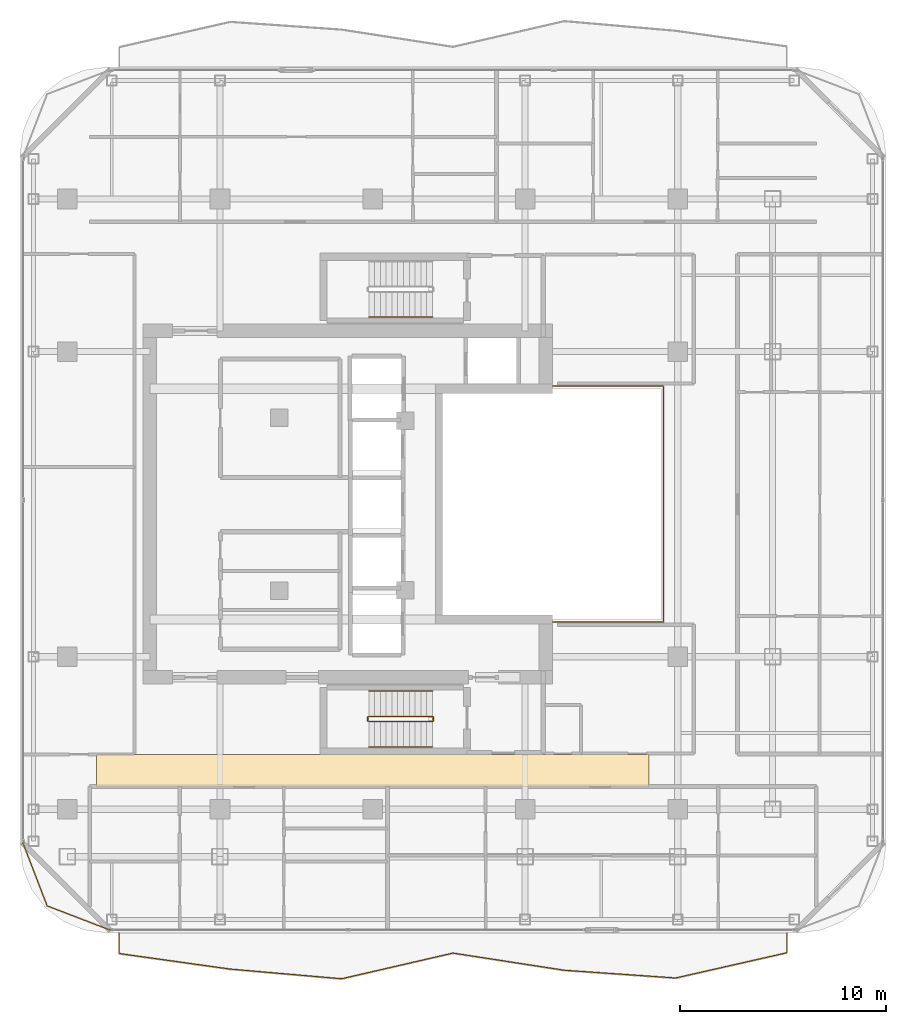
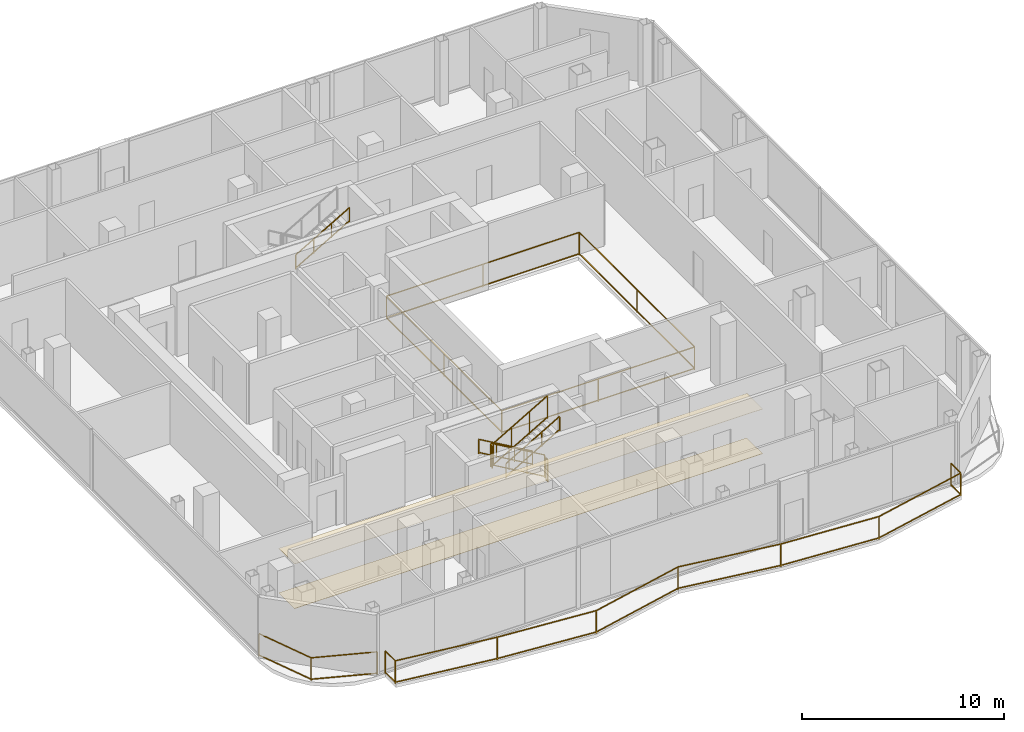
# One storey, part 20 of 22: 10 railings, 2 coverings.
"""IFC4 building model written with IfcOpenShell, lengths in metres."""

from ifc_helpers import new_model, si_unit, direction, frame, origin, origin_2d, place, context, subcontext, project, spatial, polyline, rectangle, outline, extrude, material, layer, layer_set, type_object, element, save


model = new_model("IFC4")

# Units and contexts
model_context = context("Model", 3, precision=1e-05, world=origin(), true_north=direction((0.0, 1.0)))
body_context = subcontext(model_context, "Body", "Model", "MODEL_VIEW")
ifc_project = project(units=[si_unit("LENGTHUNIT", "METRE"), si_unit("AREAUNIT", "SQUARE_METRE"), si_unit("VOLUMEUNIT", "CUBIC_METRE"), si_unit("PLANEANGLEUNIT", "RADIAN"), si_unit("MASSUNIT", "GRAM", prefix="KILO")], contexts=[model_context])

# Site, building, storey
site_placement = place(None, origin())
site = spatial("IfcSite", under=ifc_project, at=site_placement, CompositionType="ELEMENT")
building_placement = place(site_placement, origin())
building = spatial("IfcBuilding", under=site, at=building_placement, Name="Khorvyn Point Tower", CompositionType="ELEMENT")
storey_placement = place(building_placement, frame((0.0, 0.0, 278.10009765625)))
storey = spatial("IfcBuildingStorey", under=building, at=storey_placement, Name="L68", CompositionType="ELEMENT", Elevation=278.10009765625)

# Railings
ifc_material_1 = material(Name="Stainless steel 1.4401 and laminated glass", Category="steel")
railing_type_1 = type_object("IfcRailingType", Name="Crystal Atrium Smoke-Rated Perimeter Guardrail 1400", PredefinedType="GUARDRAIL", material=ifc_material_1)
railing_1_placement = place(storey_placement, frame((3.080078125, -5.719970703125, 0.0)))
element("IfcRailing", 1, at=railing_1_placement, inside=storey, type_object=railing_type_1, Name="L68 Crystal Atrium Perimeter Guardrail", PredefinedType="GUARDRAIL", context=body_context, shape_type="SweptSolid", body=[
    extrude(rectangle(XDim=0.048095703125, YDim=0.048095703125, at=origin_2d()), frame((0.0, 0.0, 1.3759765625), z_axis=(1.0, 0.0, 0.0), x_axis=(0.0, 1.0, 0.0)), (0.0, 0.0, 1.0), 11.0400390625),
    extrude(rectangle(XDim=0.048095703125, YDim=0.048095703125, at=origin_2d()), frame((0.0, 0.0, 0.080078125), z_axis=(1.0, 0.0, 0.0), x_axis=(0.0, 1.0, 0.0)), (0.0, 0.0, 1.0), 11.0400390625),
    extrude(rectangle(XDim=0.048095703125, YDim=0.048095703125, at=origin_2d()), frame((11.0400390625, 0.0, 1.3759765625), z_axis=(0.0, 1.0, 0.0), x_axis=(-1.0, 0.0, 0.0)), (0.0, 0.0, 1.0), 11.43994140625),
    extrude(rectangle(XDim=0.048095703125, YDim=0.048095703125, at=origin_2d()), frame((11.0400390625, 0.0, 0.080078125), z_axis=(0.0, 1.0, 0.0), x_axis=(-1.0, 0.0, 0.0)), (0.0, 0.0, 1.0), 11.43994140625),
    extrude(rectangle(XDim=0.048095703125, YDim=0.048095703125, at=origin_2d()), frame((11.0400390625, 11.43994140625, 1.3759765625), z_axis=(-1.0, 0.0, 0.0), x_axis=(0.0, -1.0, 0.0)), (0.0, 0.0, 1.0), 11.0400390625),
    extrude(rectangle(XDim=0.048095703125, YDim=0.048095703125, at=origin_2d()), frame((11.0400390625, 11.43994140625, 0.080078125), z_axis=(-1.0, 0.0, 0.0), x_axis=(0.0, -1.0, 0.0)), (0.0, 0.0, 1.0), 11.0400390625),
    extrude(rectangle(XDim=0.048095703125, YDim=0.048095703125, at=origin_2d()), frame((0.0, 11.43994140625, 1.3759765625), z_axis=(0.0, -1.0, 0.0), x_axis=(1.0, 0.0, 0.0)), (0.0, 0.0, 1.0), 11.409912109375),
    extrude(rectangle(XDim=0.048095703125, YDim=0.048095703125, at=origin_2d()), frame((0.0, 11.43994140625, 0.080078125), z_axis=(0.0, -1.0, 0.0), x_axis=(1.0, 0.0, 0.0)), (0.0, 0.0, 1.0), 11.409912109375),
    extrude(rectangle(XDim=0.0419921875, YDim=0.0419921875, at=origin_2d()), origin(), (0.0, 0.0, 1.0), 1.351806640625),
    extrude(rectangle(XDim=0.0419921875, YDim=0.0419921875, at=origin_2d()), frame((5.52001953125, 0.0, 0.0)), (0.0, 0.0, 1.0), 1.351806640625),
    extrude(rectangle(XDim=0.0419921875, YDim=0.0419921875, at=origin_2d()), frame((11.0400390625, 0.0, 0.0)), (0.0, 0.0, 1.0), 1.351806640625),
    extrude(rectangle(XDim=0.0419921875, YDim=0.0419921875, at=origin_2d()), frame((11.0400390625, 5.719970703125, 0.0)), (0.0, 0.0, 1.0), 1.351806640625),
    extrude(rectangle(XDim=0.0419921875, YDim=0.0419921875, at=origin_2d()), frame((11.0400390625, 11.43994140625, 0.0)), (0.0, 0.0, 1.0), 1.351806640625),
    extrude(rectangle(XDim=0.0419921875, YDim=0.0419921875, at=origin_2d()), frame((5.52001953125, 11.43994140625, 0.0)), (0.0, 0.0, 1.0), 1.351806640625),
    extrude(rectangle(XDim=0.0419921875, YDim=0.0419921875, at=origin_2d()), frame((0.0, 11.43994140625, 0.0)), (0.0, 0.0, 1.0), 1.351806640625),
    extrude(rectangle(XDim=0.0419921875, YDim=0.0419921875, at=origin_2d()), frame((0.0, 5.73486328125, 0.0)), (0.0, 0.0, 1.0), 1.351806640625),
    extrude(rectangle(XDim=0.0419921875, YDim=0.0419921875, at=origin_2d()), frame((0.0, 0.030029296875, 0.0)), (0.0, 0.0, 1.0), 1.351806640625),
])
ifc_material_2 = material(Name="Anodised aluminium 6063-T6 and laminated safety glass", Category="aluminium")
railing_type_2 = type_object("IfcRailingType", Name="Laminated Glass and Aluminium Balcony Guardrail 1400", PredefinedType="BALUSTRADE", material=ifc_material_2)
railing_2_placement = place(storey_placement, frame((-16.974365234375, -16.386474609375, 0.0)))
element("IfcRailing", 2, at=railing_2_placement, inside=storey, type_object=railing_type_2, Name="L68 Rounded Corner Edge Guardrail SW", PredefinedType="BALUSTRADE", context=body_context, shape_type="SweptSolid", body=[
    extrude(rectangle(XDim=0.048095703125, YDim=0.048095703125, at=origin_2d()), frame((0.0, 0.0, 1.3759765625), z_axis=(0.358367799998, -0.933580483903, 0.0), x_axis=(0.933580483903, 0.358367799998, 0.0)), (0.0, 0.0, 1.0), 3.319091796875),
    extrude(rectangle(XDim=0.048095703125, YDim=0.048095703125, at=origin_2d()), frame((0.0, 0.0, 0.080078125), z_axis=(0.358367799998, -0.933580483903, 0.0), x_axis=(0.933580483903, 0.358367799998, 0.0)), (0.0, 0.0, 1.0), 3.319091796875),
    extrude(rectangle(XDim=0.048095703125, YDim=0.048095703125, at=origin_2d()), frame((1.189453125, -3.0986328125, 1.3759765625), z_axis=(0.933595647299, -0.358328295484, 0.0), x_axis=(0.358328295484, 0.933595647299, 0.0)), (0.0, 0.0, 1.0), 3.31884765625),
    extrude(rectangle(XDim=0.048095703125, YDim=0.048095703125, at=origin_2d()), frame((1.189453125, -3.0986328125, 0.080078125), z_axis=(0.933595647299, -0.358328295484, 0.0), x_axis=(0.358328295484, 0.933595647299, 0.0)), (0.0, 0.0, 1.0), 3.31884765625),
    extrude(rectangle(XDim=0.0419921875, YDim=0.0419921875, at=origin_2d()), origin(), (0.0, 0.0, 1.0), 1.351806640625),
    extrude(rectangle(XDim=0.0419921875, YDim=0.0419921875, at=origin_2d()), frame((1.189453125, -3.0986328125, 0.0)), (0.0, 0.0, 1.0), 1.351806640625),
    extrude(rectangle(XDim=0.0419921875, YDim=0.0419921875, at=origin_2d()), frame((4.287841796875, -4.287841796875, 0.0)), (0.0, 0.0, 1.0), 1.351806640625),
])
railing_3_placement = place(storey_placement, frame((-12.300048828125, -20.800048828125, 0.0)))
element("IfcRailing", 3, at=railing_3_placement, inside=storey, type_object=railing_type_2, Name="L68 South Balcony Guardrail", PredefinedType="BALUSTRADE", context=body_context, shape_type="SweptSolid", body=[
    extrude(rectangle(XDim=0.048095703125, YDim=0.048095703125, at=origin_2d()), frame((0.0, 0.0, 1.3759765625), z_axis=(0.0, -1.0, 0.0), x_axis=(1.0, 0.0, 0.0)), (0.0, 0.0, 1.0), 0.9951171875),
    extrude(rectangle(XDim=0.048095703125, YDim=0.048095703125, at=origin_2d()), frame((0.0, 0.0, 0.080078125), z_axis=(0.0, -1.0, 0.0), x_axis=(1.0, 0.0, 0.0)), (0.0, 0.0, 1.0), 0.9951171875),
    extrude(rectangle(XDim=0.048095703125, YDim=0.048095703125, at=origin_2d()), frame((0.0, -0.9951171875, 1.3759765625), z_axis=(0.990321202679, -0.138794508265, 0.0), x_axis=(0.138794508265, 0.990321202679, 0.0)), (0.0, 0.0, 1.0), 5.452880859375),
    extrude(rectangle(XDim=0.048095703125, YDim=0.048095703125, at=origin_2d()), frame((0.0, -0.9951171875, 0.080078125), z_axis=(0.990321202679, -0.138794508265, 0.0), x_axis=(0.138794508265, 0.990321202679, 0.0)), (0.0, 0.0, 1.0), 5.452880859375),
    extrude(rectangle(XDim=0.048095703125, YDim=0.048095703125, at=origin_2d()), frame((5.400146484375, -1.751953125, 1.3759765625), z_axis=(0.996249540661, -0.086526601303, 0.0), x_axis=(0.086526601303, 0.996249540661, 0.0)), (0.0, 0.0, 1.0), 5.420166015625),
    extrude(rectangle(XDim=0.048095703125, YDim=0.048095703125, at=origin_2d()), frame((5.400146484375, -1.751953125, 0.080078125), z_axis=(0.996249540661, -0.086526601303, 0.0), x_axis=(0.086526601303, 0.996249540661, 0.0)), (0.0, 0.0, 1.0), 5.420166015625),
    extrude(rectangle(XDim=0.048095703125, YDim=0.048095703125, at=origin_2d()), frame((10.800048828125, -2.220947265625, 1.3759765625), z_axis=(0.974363717185, 0.224978547051, 0.0), x_axis=(-0.224978547051, 0.974363717185, 0.0)), (0.0, 0.0, 1.0), 5.5419921875),
    extrude(rectangle(XDim=0.048095703125, YDim=0.048095703125, at=origin_2d()), frame((10.800048828125, -2.220947265625, 0.080078125), z_axis=(0.974363717185, 0.224978547051, 0.0), x_axis=(-0.224978547051, 0.974363717185, 0.0)), (0.0, 0.0, 1.0), 5.5419921875),
    extrude(rectangle(XDim=0.048095703125, YDim=0.048095703125, at=origin_2d()), frame((16.199951171875, -0.97412109375, 1.3759765625), z_axis=(0.988283721835, -0.152627930457, 0.0), x_axis=(0.152627930457, 0.988283721835, 0.0)), (0.0, 0.0, 1.0), 5.464111328125),
    extrude(rectangle(XDim=0.048095703125, YDim=0.048095703125, at=origin_2d()), frame((16.199951171875, -0.97412109375, 0.080078125), z_axis=(0.988283721835, -0.152627930457, 0.0), x_axis=(0.152627930457, 0.988283721835, 0.0)), (0.0, 0.0, 1.0), 5.464111328125),
    extrude(rectangle(XDim=0.048095703125, YDim=0.048095703125, at=origin_2d()), frame((21.60009765625, -1.80810546875, 1.3759765625), z_axis=(0.997594216174, -0.069323732266, 0.0), x_axis=(0.069323732266, 0.997594216174, 0.0)), (0.0, 0.0, 1.0), 5.412841796875),
    extrude(rectangle(XDim=0.048095703125, YDim=0.048095703125, at=origin_2d()), frame((21.60009765625, -1.80810546875, 0.080078125), z_axis=(0.997594216174, -0.069323732266, 0.0), x_axis=(0.069323732266, 0.997594216174, 0.0)), (0.0, 0.0, 1.0), 5.412841796875),
    extrude(rectangle(XDim=0.048095703125, YDim=0.048095703125, at=origin_2d()), frame((27.0, -2.183349609375, 1.3759765625), z_axis=(0.975171385124, 0.221451506283, 0.0), x_axis=(-0.221451506283, 0.975171385124, 0.0)), (0.0, 0.0, 1.0), 5.53759765625),
    extrude(rectangle(XDim=0.048095703125, YDim=0.048095703125, at=origin_2d()), frame((27.0, -2.183349609375, 0.080078125), z_axis=(0.975171385124, 0.221451506283, 0.0), x_axis=(-0.221451506283, 0.975171385124, 0.0)), (0.0, 0.0, 1.0), 5.53759765625),
    extrude(rectangle(XDim=0.048095703125, YDim=0.048095703125, at=origin_2d()), frame((32.400146484375, -0.95703125, 1.3759765625), z_axis=(0.0, 1.0, 0.0), x_axis=(-1.0, 0.0, 0.0)), (0.0, 0.0, 1.0), 0.95703125),
    extrude(rectangle(XDim=0.048095703125, YDim=0.048095703125, at=origin_2d()), frame((32.400146484375, -0.95703125, 0.080078125), z_axis=(0.0, 1.0, 0.0), x_axis=(-1.0, 0.0, 0.0)), (0.0, 0.0, 1.0), 0.95703125),
    extrude(rectangle(XDim=0.0419921875, YDim=0.0419921875, at=origin_2d()), origin(), (0.0, 0.0, 1.0), 1.351806640625),
    extrude(rectangle(XDim=0.0419921875, YDim=0.0419921875, at=origin_2d()), frame((0.0, -0.9951171875, 0.0)), (0.0, 0.0, 1.0), 1.351806640625),
    extrude(rectangle(XDim=0.0419921875, YDim=0.0419921875, at=origin_2d()), frame((5.400146484375, -1.751953125, 0.0)), (0.0, 0.0, 1.0), 1.351806640625),
    extrude(rectangle(XDim=0.0419921875, YDim=0.0419921875, at=origin_2d()), frame((10.800048828125, -2.220947265625, 0.0)), (0.0, 0.0, 1.0), 1.351806640625),
    extrude(rectangle(XDim=0.0419921875, YDim=0.0419921875, at=origin_2d()), frame((16.199951171875, -0.97412109375, 0.0)), (0.0, 0.0, 1.0), 1.351806640625),
    extrude(rectangle(XDim=0.0419921875, YDim=0.0419921875, at=origin_2d()), frame((21.60009765625, -1.80810546875, 0.0)), (0.0, 0.0, 1.0), 1.351806640625),
    extrude(rectangle(XDim=0.0419921875, YDim=0.0419921875, at=origin_2d()), frame((27.0, -2.183349609375, 0.0)), (0.0, 0.0, 1.0), 1.351806640625),
    extrude(rectangle(XDim=0.0419921875, YDim=0.0419921875, at=origin_2d()), frame((32.400146484375, -0.95703125, 0.0)), (0.0, 0.0, 1.0), 1.351806640625),
    extrude(rectangle(XDim=0.0419921875, YDim=0.0419921875, at=origin_2d()), frame((32.400146484375, 0.0, 0.0)), (0.0, 0.0, 1.0), 1.351806640625),
])

# Coverings
ifc_material_3 = material(Name="Mineral-fibre acoustic ceiling board", Category="gypsum")
ifc_layer_1 = layer(ifc_material_3, 0.02001953125)
ifc_layer_set_1 = layer_set([ifc_layer_1], Name="Perforated Mineral-Fibre Acoustic Suspended Ceiling 20")
covering_type_1 = type_object("IfcCoveringType", Name="Perforated Mineral-Fibre Acoustic Suspended Ceiling 20", PredefinedType="CEILING", material=ifc_layer_set_1)
covering_1_placement = place(storey_placement, frame((0.0, 0.0, 2.699951171875)))
element("IfcCovering", 4, at=covering_1_placement, inside=storey, type_object=covering_type_1, Name="L68 South Corridor Acoustic Ceiling", PredefinedType="CEILING", context=body_context, shape_type="SweptSolid", body=[
    extrude(outline(polyline([(-13.39990234375, -13.7099609375), (13.39990234375, -13.7099609375), (13.39990234375, -12.139892578125), (-13.39990234375, -12.139892578125), (-13.39990234375, -13.7099609375)])), origin(), (0.0, 0.0, 1.0), 0.02001953125),
])
ifc_material_4 = material(Name="Vitrified porcelain terrazzo tile", Category="ceramic")
ifc_layer_2 = layer(ifc_material_4, 0.01806640625)
ifc_layer_set_2 = layer_set([ifc_layer_2], Name="Porcelain Terrazzo Corridor Floor Finish Tile 18")
covering_type_2 = type_object("IfcCoveringType", Name="Porcelain Terrazzo Corridor Floor Finish Tile 18", PredefinedType="FLOORING", material=ifc_layer_set_2)
covering_2_placement = place(storey_placement, origin())
element("IfcCovering", 5, at=covering_2_placement, inside=storey, type_object=covering_type_2, Name="L68 South Corridor Terrazzo Flooring", PredefinedType="FLOORING", context=body_context, shape_type="SweptSolid", body=[
    extrude(outline(polyline([(-13.39990234375, -13.7099609375), (13.39990234375, -13.7099609375), (13.39990234375, -12.139892578125), (-13.39990234375, -12.139892578125), (-13.39990234375, -13.7099609375)])), origin(), (0.0, 0.0, 1.0), 0.017822265625),
])

# Railings
ifc_material_5 = material(Name="Stainless steel 1.4301", Category="steel")
railing_type_3 = type_object("IfcRailingType", Name="Stainless Steel 304 Stair Pitch Handrail 900", PredefinedType="HANDRAIL", material=ifc_material_5)
railing_4_placement = place(storey_placement, frame((2.89990234375, -9.070068359375, 0.162353515625)))
element("IfcRailing", 6, at=railing_4_placement, inside=storey, type_object=railing_type_3, Name="L68 ST-01 stair handrail 1", PredefinedType="HANDRAIL", context=body_context, shape_type="SweptSolid", body=[
    extrude(rectangle(XDim=0.048095703125, YDim=0.048095703125, at=origin_2d()), frame((0.0, 0.0, 0.8759765625), z_axis=(-0.864873446163, 0.0, 0.501989962173), x_axis=(0.0, -1.0, 0.0)), (0.0, 0.0, 1.0), 3.56103515625),
    extrude(rectangle(XDim=0.048095703125, YDim=0.048095703125, at=origin_2d()), frame((0.0, 0.0, 0.080078125), z_axis=(-0.864873446163, 0.0, 0.501989962173), x_axis=(0.0, -1.0, 0.0)), (0.0, 0.0, 1.0), 3.56103515625),
    extrude(rectangle(XDim=0.0419921875, YDim=0.0419921875, at=origin_2d()), origin(), (0.0, 0.0, 1.0), 0.851806640625),
    extrude(rectangle(XDim=0.0419921875, YDim=0.0419921875, at=origin_2d()), frame((-1.026611328125, 0.0, 0.595947265625)), (0.0, 0.0, 1.0), 0.851806640625),
    extrude(rectangle(XDim=0.0419921875, YDim=0.0419921875, at=origin_2d()), frame((-2.05322265625, 0.0, 1.191650390625)), (0.0, 0.0, 1.0), 0.851806640625),
    extrude(rectangle(XDim=0.0419921875, YDim=0.0419921875, at=origin_2d()), frame((-3.079833984375, 0.0, 1.78759765625)), (0.0, 0.0, 1.0), 0.851806640625),
])
for number, where, name in (
    (7, (-0.179931640625, -11.77001953125, 2.1123046875), "L68 ST-01 stair handrail 2"),
    (8, (-0.179931640625, 9.070068359375, 2.1123046875), "L68 ST-02 stair handrail 2"),
):
    element("IfcRailing", number, at=place(storey_placement, frame(where)), inside=storey, type_object=railing_type_3, Name=name, PredefinedType="HANDRAIL", context=body_context, shape_type="SweptSolid", body=[
        extrude(rectangle(XDim=0.048095703125, YDim=0.048095703125, at=origin_2d()), frame((0.0, 0.0, 0.8759765625), z_axis=(0.864873446163, 0.0, 0.501989962173), x_axis=(0.0, 1.0, 0.0)), (0.0, 0.0, 1.0), 3.56103515625),
        extrude(rectangle(XDim=0.048095703125, YDim=0.048095703125, at=origin_2d()), frame((0.0, 0.0, 0.080078125), z_axis=(0.864873446163, 0.0, 0.501989962173), x_axis=(0.0, 1.0, 0.0)), (0.0, 0.0, 1.0), 3.56103515625),
        extrude(rectangle(XDim=0.0419921875, YDim=0.0419921875, at=origin_2d()), origin(), (0.0, 0.0, 1.0), 0.851806640625),
        extrude(rectangle(XDim=0.0419921875, YDim=0.0419921875, at=origin_2d()), frame((1.026611328125, 0.0, 0.595947265625)), (0.0, 0.0, 1.0), 0.851806640625),
        extrude(rectangle(XDim=0.0419921875, YDim=0.0419921875, at=origin_2d()), frame((2.05322265625, 0.0, 1.191650390625)), (0.0, 0.0, 1.0), 0.851806640625),
        extrude(rectangle(XDim=0.0419921875, YDim=0.0419921875, at=origin_2d()), frame((3.079833984375, 0.0, 1.78759765625)), (0.0, 0.0, 1.0), 0.851806640625),
    ])
railing_type_4 = type_object("IfcRailingType", Name="Stainless Steel 304 Stair Well Guardrail 1400", PredefinedType="GUARDRAIL", material=ifc_material_5)
railing_5_placement = place(storey_placement, frame((2.89990234375, -10.2900390625, 0.162353515625)))
element("IfcRailing", 9, at=railing_5_placement, inside=storey, type_object=railing_type_4, Name="L68 ST-01 stair guard 1", PredefinedType="GUARDRAIL", context=body_context, shape_type="SweptSolid", body=[
    extrude(rectangle(XDim=0.048095703125, YDim=0.048095703125, at=origin_2d()), frame((0.0, 0.0, 1.3759765625), z_axis=(-0.864873446163, 0.0, 0.501989962173), x_axis=(0.0, -1.0, 0.0)), (0.0, 0.0, 1.0), 3.56103515625),
    extrude(rectangle(XDim=0.048095703125, YDim=0.048095703125, at=origin_2d()), frame((0.0, 0.0, 0.080078125), z_axis=(-0.864873446163, 0.0, 0.501989962173), x_axis=(0.0, -1.0, 0.0)), (0.0, 0.0, 1.0), 3.56103515625),
    extrude(rectangle(XDim=0.0419921875, YDim=0.0419921875, at=origin_2d()), origin(), (0.0, 0.0, 1.0), 1.351806640625),
    extrude(rectangle(XDim=0.0419921875, YDim=0.0419921875, at=origin_2d()), frame((-1.026611328125, 0.0, 0.595947265625)), (0.0, 0.0, 1.0), 1.351806640625),
    extrude(rectangle(XDim=0.0419921875, YDim=0.0419921875, at=origin_2d()), frame((-2.05322265625, 0.0, 1.191650390625)), (0.0, 0.0, 1.0), 1.351806640625),
    extrude(rectangle(XDim=0.0419921875, YDim=0.0419921875, at=origin_2d()), frame((-3.079833984375, 0.0, 1.78759765625)), (0.0, 0.0, 1.0), 1.351806640625),
])
railing_6_placement = place(storey_placement, frame((-0.22998046875, -10.340087890625, 1.949951171875)))
element("IfcRailing", 10, at=railing_6_placement, inside=storey, type_object=railing_type_4, Name="L68 ST-01 stair guard 2", PredefinedType="GUARDRAIL", context=body_context, shape_type="SweptSolid", body=[
    extrude(rectangle(XDim=0.048095703125, YDim=0.048095703125, at=origin_2d()), frame((0.0, 0.0, 1.3759765625), z_axis=(0.0, -1.0, 0.0), x_axis=(1.0, 0.0, 0.0)), (0.0, 0.0, 1.0), 0.159912109375),
    extrude(rectangle(XDim=0.048095703125, YDim=0.048095703125, at=origin_2d()), frame((0.0, 0.0, 0.080078125), z_axis=(0.0, -1.0, 0.0), x_axis=(1.0, 0.0, 0.0)), (0.0, 0.0, 1.0), 0.159912109375),
    extrude(rectangle(XDim=0.0419921875, YDim=0.0419921875, at=origin_2d()), origin(), (0.0, 0.0, 1.0), 1.351806640625),
    extrude(rectangle(XDim=0.0419921875, YDim=0.0419921875, at=origin_2d()), frame((0.0, -0.159912109375, 0.0)), (0.0, 0.0, 1.0), 1.351806640625),
])
railing_7_placement = place(storey_placement, frame((-0.179931640625, -10.550048828125, 2.1123046875)))
element("IfcRailing", 11, at=railing_7_placement, inside=storey, type_object=railing_type_4, Name="L68 ST-01 stair guard 3", PredefinedType="GUARDRAIL", context=body_context, shape_type="SweptSolid", body=[
    extrude(rectangle(XDim=0.048095703125, YDim=0.048095703125, at=origin_2d()), frame((0.0, 0.0, 1.3759765625), z_axis=(0.864873446163, 0.0, 0.501989962173), x_axis=(0.0, 1.0, 0.0)), (0.0, 0.0, 1.0), 3.56103515625),
    extrude(rectangle(XDim=0.048095703125, YDim=0.048095703125, at=origin_2d()), frame((0.0, 0.0, 0.080078125), z_axis=(0.864873446163, 0.0, 0.501989962173), x_axis=(0.0, 1.0, 0.0)), (0.0, 0.0, 1.0), 3.56103515625),
    extrude(rectangle(XDim=0.0419921875, YDim=0.0419921875, at=origin_2d()), origin(), (0.0, 0.0, 1.0), 1.351806640625),
    extrude(rectangle(XDim=0.0419921875, YDim=0.0419921875, at=origin_2d()), frame((1.026611328125, 0.0, 0.595947265625)), (0.0, 0.0, 1.0), 1.351806640625),
    extrude(rectangle(XDim=0.0419921875, YDim=0.0419921875, at=origin_2d()), frame((2.05322265625, 0.0, 1.191650390625)), (0.0, 0.0, 1.0), 1.351806640625),
    extrude(rectangle(XDim=0.0419921875, YDim=0.0419921875, at=origin_2d()), frame((3.079833984375, 0.0, 1.78759765625)), (0.0, 0.0, 1.0), 1.351806640625),
])
railing_8_placement = place(storey_placement, frame((2.949951171875, -10.340087890625, 0.0)))
element("IfcRailing", 12, at=railing_8_placement, inside=storey, type_object=railing_type_4, Name="L68 ST-01 stair guard 4", PredefinedType="GUARDRAIL", context=body_context, shape_type="SweptSolid", body=[
    extrude(rectangle(XDim=0.048095703125, YDim=0.048095703125, at=origin_2d()), frame((0.0, 0.0, 1.3759765625), z_axis=(0.0, -1.0, 0.0), x_axis=(1.0, 0.0, 0.0)), (0.0, 0.0, 1.0), 0.159912109375),
    extrude(rectangle(XDim=0.048095703125, YDim=0.048095703125, at=origin_2d()), frame((0.0, 0.0, 0.080078125), z_axis=(0.0, -1.0, 0.0), x_axis=(1.0, 0.0, 0.0)), (0.0, 0.0, 1.0), 0.159912109375),
    extrude(rectangle(XDim=0.0419921875, YDim=0.0419921875, at=origin_2d()), origin(), (0.0, 0.0, 1.0), 1.351806640625),
    extrude(rectangle(XDim=0.0419921875, YDim=0.0419921875, at=origin_2d()), frame((0.0, -0.159912109375, 0.0)), (0.0, 0.0, 1.0), 1.351806640625),
])

save(model, "model.ifc")
